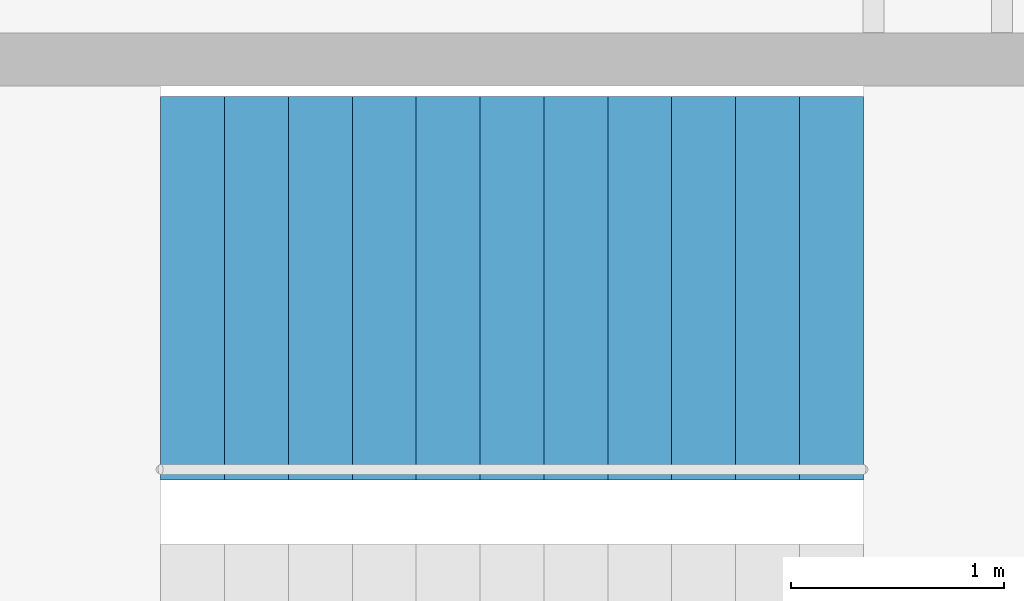
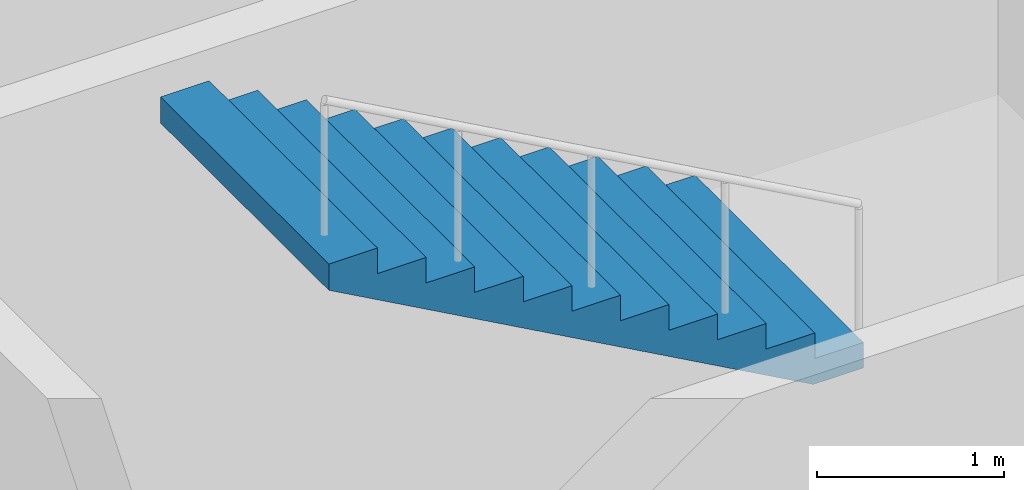
# One storey, part 6 of 8: 1 stair flight, 1 element without a shape of its own.
"""IFC4 building model written with IfcOpenShell, lengths in metres."""

from ifc_helpers import new_model, si_unit, direction, frame, origin, place, context, subcontext, project, spatial, polyline, outline, extrude, material, type_object, element, aggregate, save


model = new_model("IFC4")

# Units and contexts
model_context = context("Model", 3, precision=1e-05, world=origin(), true_north=direction((0.0, 1.0)))
body_context = subcontext(model_context, "Body", "Model", "MODEL_VIEW")
ifc_project = project(units=[si_unit("LENGTHUNIT", "METRE"), si_unit("AREAUNIT", "SQUARE_METRE"), si_unit("VOLUMEUNIT", "CUBIC_METRE"), si_unit("PLANEANGLEUNIT", "RADIAN"), si_unit("MASSUNIT", "GRAM", prefix="KILO")], contexts=[model_context])

# Site, building, storey
site_placement = place(None, origin())
site = spatial("IfcSite", under=ifc_project, at=site_placement, CompositionType="ELEMENT")
building_placement = place(site_placement, origin())
building = spatial("IfcBuilding", under=site, at=building_placement, Name="Cinnabar Reach Civic Tower", CompositionType="ELEMENT")
storey_placement = place(building_placement, frame((0.0, 0.0, 210.0)))
storey = spatial("IfcBuildingStorey", under=building, at=storey_placement, Name="L50", CompositionType="ELEMENT", Elevation=210.0)

# Stair, stair flight
ifc_material = material(Name="Concrete C40/50", Category="concrete")
stair_type = type_object("IfcStairType", Name="T1 Exit stair, half-turn", PredefinedType="HALF_TURN_STAIR", material=ifc_material)
stair_placement = place(storey_placement, origin())
stair = element("IfcStair", 1, at=stair_placement, inside=storey, type_object=stair_type, Name="Stair T1-S3", PredefinedType="HALF_TURN_STAIR")
stair_flight_type = type_object("IfcStairFlightType", Name="T1 Stair flight, concrete", PredefinedType="STRAIGHT", material=ifc_material)
stair_flight_placement = place(storey_placement, frame((35.35, 32.55, 2.0), z_axis=(0.0, 0.0, 1.0), x_axis=(-1.0, 0.0, 0.0)))
stair_flight = element("IfcStairFlight", 2, at=stair_flight_placement, type_object=stair_flight_type, Name="T1-S3 flight 2", NumberOfRisers=12, NumberOfTreads=11, PredefinedType="STRAIGHT", RiserHeight=0.166666667, TreadLength=0.3, context=body_context, shape_type="SweptSolid", body=[
    extrude(outline(polyline([(0.0, 0.0), (0.0, 0.1667), (0.3, 0.1667), (0.3, 0.3333), (0.6, 0.3333), (0.6, 0.5), (0.9, 0.5), (0.9, 0.6667), (1.2, 0.6667), (1.2, 0.8333), (1.5, 0.8333), (1.5, 1.0), (1.8, 1.0), (1.8, 1.1667), (2.1, 1.1667), (2.1, 1.3333), (2.4, 1.3333), (2.4, 1.5), (2.7, 1.5), (2.7, 1.6667), (3.0, 1.6667), (3.0, 1.8333), (3.3, 1.8333), (3.3, 2.0), (3.3, 1.6617), (0.3089, 0.0), (0.0, 0.0)])), frame((0.0, 0.9, 0.0), z_axis=(0.0, -1.0, 0.0), x_axis=(1.0, 0.0, 0.0)), (0.0, 0.0, 1.0), 1.8),
])
aggregate(stair, [stair_flight])

save(model, "model.ifc")
